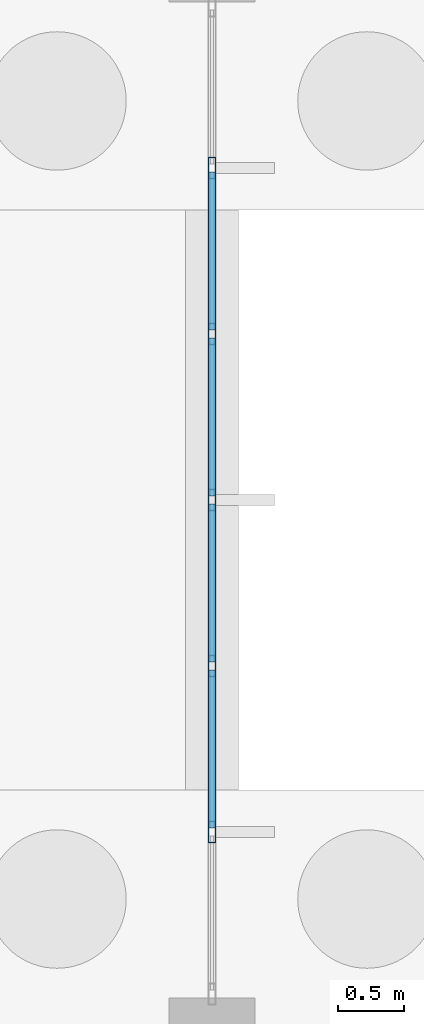
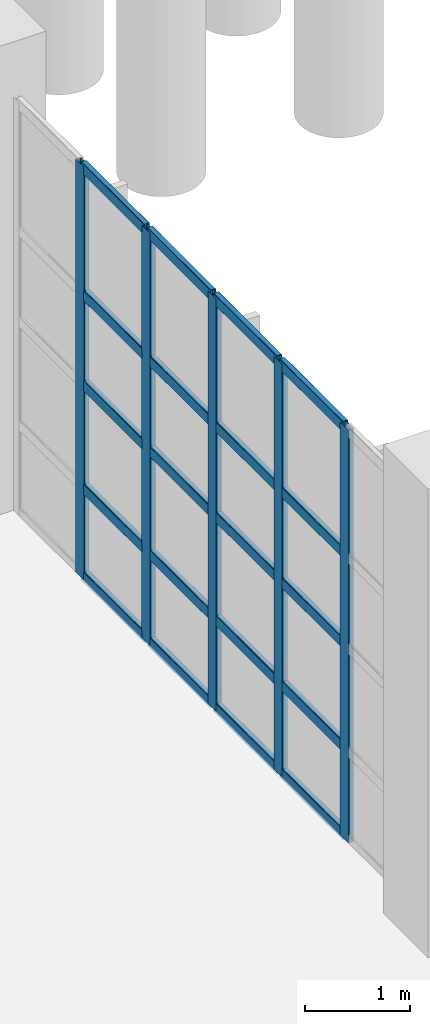
# One storey, part 24 of 83: 25 members, 1 element without a shape of its own.
"""IFC4 building model written with IfcOpenShell, lengths in metres."""

from ifc_helpers import new_model, si_unit, direction, frame, origin, origin_2d, place, context, subcontext, project, spatial, hollow_rectangle, extrude, material, layer, layer_set, material_profile, profile_set, type_object, element, aggregate, save


model = new_model("IFC4")

# Units and contexts
model_context = context("Model", 3, precision=1e-05, world=origin(), true_north=direction((0.0, 1.0)))
body_context = subcontext(model_context, "Body", "Model", "MODEL_VIEW")
ifc_project = project(units=[si_unit("LENGTHUNIT", "METRE"), si_unit("AREAUNIT", "SQUARE_METRE"), si_unit("VOLUMEUNIT", "CUBIC_METRE"), si_unit("PLANEANGLEUNIT", "RADIAN"), si_unit("MASSUNIT", "GRAM", prefix="KILO"), si_unit("THERMODYNAMICTEMPERATUREUNIT", "KELVIN"), si_unit("POWERUNIT", "WATT")], contexts=[model_context])

# Site, building, storey
site_placement = place(None, origin())
site = spatial("IfcSite", under=ifc_project, at=site_placement, CompositionType="ELEMENT")
building_placement = place(site_placement, origin())
building = spatial("IfcBuilding", under=site, at=building_placement, Name="Mavoryth Pier Ferry Terminal", CompositionType="ELEMENT")
storey_placement = place(building_placement, origin())
storey = spatial("IfcBuildingStorey", under=building, at=storey_placement, Name="L00", CompositionType="ELEMENT", Elevation=0.0)

# Curtain wall, members
ifc_material_1 = material(Name="Anodised Aluminium and Solar-Control Low-E Glass", Category="aluminium")
ifc_layer = layer(ifc_material_1, 0.199951171875, Name="Anodised Aluminium and Solar-Control Low-E Glass", Category="aluminium")
ifc_layer_set = layer_set([ifc_layer], Name="Anodised Aluminium and Solar-Control Low-E Glass - CW-Concourse-Mod1200")
curtain_wall_type = type_object("IfcCurtainWallType", Name="CW-Concourse-Mod1200", PredefinedType="USERDEFINED", material=ifc_layer_set)
curtain_wall_placement = place(storey_placement, origin())
curtain_wall = element("IfcCurtainWall", 1, at=curtain_wall_placement, inside=storey, type_object=curtain_wall_type, Name="Curtain Wall CW-0022-010", ObjectType="UNITISED CURTAIN WALL", PredefinedType="USERDEFINED")
ifc_material_2 = material(Name="Anodised Aluminium EN AW-6063", Category="aluminium")
ifc_material_profile_1 = material_profile(ifc_material_2, hollow_rectangle(XDim=0.06005859375, YDim=0.1650390625, WallThickness=0.00390625, InnerFilletRadius=0.00390625, OuterFilletRadius=0.008056640625, at=origin_2d()), Name="AL-MULL 165x60x4", Category="aluminium")
ifc_profile_set_1 = profile_set([ifc_material_profile_1], Name="Anodised Aluminium EN AW-6063 - AL-MULL 165x60x4")
member_type_1 = type_object("IfcMemberType", Name="Mullion-Alum-165x60", PredefinedType="MULLION", material=ifc_profile_set_1)
member_1_placement = place(storey_placement, frame((33.60009765625, 57.283447265625, 0.0), z_axis=(0.0, 0.0, 1.0), x_axis=(-1.0, 0.0, 0.0)))
member_1 = element("IfcMember", 2, at=member_1_placement, type_object=member_type_1, Name="CW02 mullion 2", PredefinedType="MULLION", context=body_context, shape_type="SweptSolid", body=[
    extrude(hollow_rectangle(XDim=0.06005859375, YDim=0.1650390625, WallThickness=0.00390625, InnerFilletRadius=0.00390625, OuterFilletRadius=0.008056640625, at=origin_2d()), origin(), (0.0, 0.0, 1.0), 4.794921875),
])
member_2_placement = place(storey_placement, frame((33.60009765625, 58.541748046875, 0.0), z_axis=(0.0, 0.0, 1.0), x_axis=(-1.0, 0.0, 0.0)))
member_2 = element("IfcMember", 3, at=member_2_placement, type_object=member_type_1, Name="CW02 mullion 3", PredefinedType="MULLION", context=body_context, shape_type="SweptSolid", body=[
    extrude(hollow_rectangle(XDim=0.06005859375, YDim=0.1650390625, WallThickness=0.00390625, InnerFilletRadius=0.00390625, OuterFilletRadius=0.008056640625, at=origin_2d()), origin(), (0.0, 0.0, 1.0), 4.794921875),
])
member_3_placement = place(storey_placement, frame((33.60009765625, 59.800048828125, 0.0), z_axis=(0.0, 0.0, 1.0), x_axis=(-1.0, 0.0, 0.0)))
member_3 = element("IfcMember", 4, at=member_3_placement, type_object=member_type_1, Name="CW02 mullion 4", PredefinedType="MULLION", context=body_context, shape_type="SweptSolid", body=[
    extrude(hollow_rectangle(XDim=0.06005859375, YDim=0.1650390625, WallThickness=0.00390625, InnerFilletRadius=0.00390625, OuterFilletRadius=0.008056640625, at=origin_2d()), origin(), (0.0, 0.0, 1.0), 4.794921875),
])
member_4_placement = place(storey_placement, frame((33.60009765625, 61.058349609375, 0.0), z_axis=(0.0, 0.0, 1.0), x_axis=(-1.0, 0.0, 0.0)))
member_4 = element("IfcMember", 5, at=member_4_placement, type_object=member_type_1, Name="CW02 mullion 5", PredefinedType="MULLION", context=body_context, shape_type="SweptSolid", body=[
    extrude(hollow_rectangle(XDim=0.06005859375, YDim=0.1650390625, WallThickness=0.00390625, InnerFilletRadius=0.00390625, OuterFilletRadius=0.008056640625, at=origin_2d()), origin(), (0.0, 0.0, 1.0), 4.794921875),
])
member_5_placement = place(storey_placement, frame((33.60009765625, 62.316650390625, 0.0), z_axis=(0.0, 0.0, 1.0), x_axis=(-1.0, 0.0, 0.0)))
member_5 = element("IfcMember", 6, at=member_5_placement, type_object=member_type_1, Name="CW02 mullion 6", PredefinedType="MULLION", context=body_context, shape_type="SweptSolid", body=[
    extrude(hollow_rectangle(XDim=0.06005859375, YDim=0.1650390625, WallThickness=0.00390625, InnerFilletRadius=0.00390625, OuterFilletRadius=0.008056640625, at=origin_2d()), origin(), (0.0, 0.0, 1.0), 4.794921875),
])
ifc_material_profile_2 = material_profile(ifc_material_2, hollow_rectangle(XDim=0.06005859375, YDim=0.125, WallThickness=0.00390625, InnerFilletRadius=0.00390625, OuterFilletRadius=0.008056640625, at=origin_2d()), Name="AL-TRAN 125x60x4", Category="aluminium")
ifc_profile_set_2 = profile_set([ifc_material_profile_2], Name="Anodised Aluminium EN AW-6063 - AL-TRAN 125x60x4")
member_type_2 = type_object("IfcMemberType", Name="Transom-Alum-125x60", PredefinedType="USERDEFINED", material=ifc_profile_set_2)
member_6_placement = place(storey_placement, frame((33.60009765625, 57.313232421875, 0.030029296875), z_axis=(0.0, 1.0, 0.0), x_axis=(-1.0, 0.0, 0.0)))
member_6 = element("IfcMember", 7, at=member_6_placement, type_object=member_type_2, Name="CW02 transom 2.1", ObjectType="TRANSOM", PredefinedType="USERDEFINED", context=body_context, shape_type="SweptSolid", body=[
    extrude(hollow_rectangle(XDim=0.06005859375, YDim=0.125, WallThickness=0.00390625, InnerFilletRadius=0.00390625, OuterFilletRadius=0.008056640625, at=origin_2d()), origin(), (0.0, 0.0, 1.0), 1.198486328125),
])
member_7_placement = place(storey_placement, frame((33.60009765625, 57.313232421875, 1.050048828125), z_axis=(0.0, 1.0, 0.0), x_axis=(-1.0, 0.0, 0.0)))
member_7 = element("IfcMember", 8, at=member_7_placement, type_object=member_type_2, Name="CW02 transom 2.2", ObjectType="TRANSOM", PredefinedType="USERDEFINED", context=body_context, shape_type="SweptSolid", body=[
    extrude(hollow_rectangle(XDim=0.06005859375, YDim=0.125, WallThickness=0.00390625, InnerFilletRadius=0.00390625, OuterFilletRadius=0.008056640625, at=origin_2d()), origin(), (0.0, 0.0, 1.0), 1.198486328125),
])
member_8_placement = place(storey_placement, frame((33.60009765625, 57.313232421875, 2.25), z_axis=(0.0, 1.0, 0.0), x_axis=(-1.0, 0.0, 0.0)))
member_8 = element("IfcMember", 9, at=member_8_placement, type_object=member_type_2, Name="CW02 transom 2.3", ObjectType="TRANSOM", PredefinedType="USERDEFINED", context=body_context, shape_type="SweptSolid", body=[
    extrude(hollow_rectangle(XDim=0.06005859375, YDim=0.125, WallThickness=0.00390625, InnerFilletRadius=0.00390625, OuterFilletRadius=0.008056640625, at=origin_2d()), origin(), (0.0, 0.0, 1.0), 1.198486328125),
])
member_9_placement = place(storey_placement, frame((33.60009765625, 57.313232421875, 3.300048828125), z_axis=(0.0, 1.0, 0.0), x_axis=(-1.0, 0.0, 0.0)))
member_9 = element("IfcMember", 10, at=member_9_placement, type_object=member_type_2, Name="CW02 transom 2.4", ObjectType="TRANSOM", PredefinedType="USERDEFINED", context=body_context, shape_type="SweptSolid", body=[
    extrude(hollow_rectangle(XDim=0.06005859375, YDim=0.125, WallThickness=0.00390625, InnerFilletRadius=0.00390625, OuterFilletRadius=0.008056640625, at=origin_2d()), origin(), (0.0, 0.0, 1.0), 1.198486328125),
])
member_10_placement = place(storey_placement, frame((33.60009765625, 57.313232421875, 4.764892578125), z_axis=(0.0, 1.0, 0.0), x_axis=(-1.0, 0.0, 0.0)))
member_10 = element("IfcMember", 11, at=member_10_placement, type_object=member_type_2, Name="CW02 transom 2.5", ObjectType="TRANSOM", PredefinedType="USERDEFINED", context=body_context, shape_type="SweptSolid", body=[
    extrude(hollow_rectangle(XDim=0.06005859375, YDim=0.125, WallThickness=0.00390625, InnerFilletRadius=0.00390625, OuterFilletRadius=0.008056640625, at=origin_2d()), origin(), (0.0, 0.0, 1.0), 1.198486328125),
])
member_11_placement = place(storey_placement, frame((33.60009765625, 58.57177734375, 0.030029296875), z_axis=(0.0, 1.0, 0.0), x_axis=(-1.0, 0.0, 0.0)))
member_11 = element("IfcMember", 12, at=member_11_placement, type_object=member_type_2, Name="CW02 transom 3.1", ObjectType="TRANSOM", PredefinedType="USERDEFINED", context=body_context, shape_type="SweptSolid", body=[
    extrude(hollow_rectangle(XDim=0.06005859375, YDim=0.125, WallThickness=0.00390625, InnerFilletRadius=0.00390625, OuterFilletRadius=0.008056640625, at=origin_2d()), origin(), (0.0, 0.0, 1.0), 1.1982421875),
])
member_12_placement = place(storey_placement, frame((33.60009765625, 58.57177734375, 1.050048828125), z_axis=(0.0, 1.0, 0.0), x_axis=(-1.0, 0.0, 0.0)))
member_12 = element("IfcMember", 13, at=member_12_placement, type_object=member_type_2, Name="CW02 transom 3.2", ObjectType="TRANSOM", PredefinedType="USERDEFINED", context=body_context, shape_type="SweptSolid", body=[
    extrude(hollow_rectangle(XDim=0.06005859375, YDim=0.125, WallThickness=0.00390625, InnerFilletRadius=0.00390625, OuterFilletRadius=0.008056640625, at=origin_2d()), origin(), (0.0, 0.0, 1.0), 1.1982421875),
])
member_13_placement = place(storey_placement, frame((33.60009765625, 58.57177734375, 2.25), z_axis=(0.0, 1.0, 0.0), x_axis=(-1.0, 0.0, 0.0)))
member_13 = element("IfcMember", 14, at=member_13_placement, type_object=member_type_2, Name="CW02 transom 3.3", ObjectType="TRANSOM", PredefinedType="USERDEFINED", context=body_context, shape_type="SweptSolid", body=[
    extrude(hollow_rectangle(XDim=0.06005859375, YDim=0.125, WallThickness=0.00390625, InnerFilletRadius=0.00390625, OuterFilletRadius=0.008056640625, at=origin_2d()), origin(), (0.0, 0.0, 1.0), 1.1982421875),
])
member_14_placement = place(storey_placement, frame((33.60009765625, 58.57177734375, 3.300048828125), z_axis=(0.0, 1.0, 0.0), x_axis=(-1.0, 0.0, 0.0)))
member_14 = element("IfcMember", 15, at=member_14_placement, type_object=member_type_2, Name="CW02 transom 3.4", ObjectType="TRANSOM", PredefinedType="USERDEFINED", context=body_context, shape_type="SweptSolid", body=[
    extrude(hollow_rectangle(XDim=0.06005859375, YDim=0.125, WallThickness=0.00390625, InnerFilletRadius=0.00390625, OuterFilletRadius=0.008056640625, at=origin_2d()), origin(), (0.0, 0.0, 1.0), 1.1982421875),
])
member_15_placement = place(storey_placement, frame((33.60009765625, 58.57177734375, 4.764892578125), z_axis=(0.0, 1.0, 0.0), x_axis=(-1.0, 0.0, 0.0)))
member_15 = element("IfcMember", 16, at=member_15_placement, type_object=member_type_2, Name="CW02 transom 3.5", ObjectType="TRANSOM", PredefinedType="USERDEFINED", context=body_context, shape_type="SweptSolid", body=[
    extrude(hollow_rectangle(XDim=0.06005859375, YDim=0.125, WallThickness=0.00390625, InnerFilletRadius=0.00390625, OuterFilletRadius=0.008056640625, at=origin_2d()), origin(), (0.0, 0.0, 1.0), 1.1982421875),
])
member_16_placement = place(storey_placement, frame((33.60009765625, 59.830078125, 0.030029296875), z_axis=(0.0, 1.0, 0.0), x_axis=(-1.0, 0.0, 0.0)))
member_16 = element("IfcMember", 17, at=member_16_placement, type_object=member_type_2, Name="CW02 transom 4.1", ObjectType="TRANSOM", PredefinedType="USERDEFINED", context=body_context, shape_type="SweptSolid", body=[
    extrude(hollow_rectangle(XDim=0.06005859375, YDim=0.125, WallThickness=0.00390625, InnerFilletRadius=0.00390625, OuterFilletRadius=0.008056640625, at=origin_2d()), origin(), (0.0, 0.0, 1.0), 1.1982421875),
])
member_17_placement = place(storey_placement, frame((33.60009765625, 59.830078125, 1.050048828125), z_axis=(0.0, 1.0, 0.0), x_axis=(-1.0, 0.0, 0.0)))
member_17 = element("IfcMember", 18, at=member_17_placement, type_object=member_type_2, Name="CW02 transom 4.2", ObjectType="TRANSOM", PredefinedType="USERDEFINED", context=body_context, shape_type="SweptSolid", body=[
    extrude(hollow_rectangle(XDim=0.06005859375, YDim=0.125, WallThickness=0.00390625, InnerFilletRadius=0.00390625, OuterFilletRadius=0.008056640625, at=origin_2d()), origin(), (0.0, 0.0, 1.0), 1.1982421875),
])
member_18_placement = place(storey_placement, frame((33.60009765625, 59.830078125, 2.25), z_axis=(0.0, 1.0, 0.0), x_axis=(-1.0, 0.0, 0.0)))
member_18 = element("IfcMember", 19, at=member_18_placement, type_object=member_type_2, Name="CW02 transom 4.3", ObjectType="TRANSOM", PredefinedType="USERDEFINED", context=body_context, shape_type="SweptSolid", body=[
    extrude(hollow_rectangle(XDim=0.06005859375, YDim=0.125, WallThickness=0.00390625, InnerFilletRadius=0.00390625, OuterFilletRadius=0.008056640625, at=origin_2d()), origin(), (0.0, 0.0, 1.0), 1.1982421875),
])
member_19_placement = place(storey_placement, frame((33.60009765625, 59.830078125, 3.300048828125), z_axis=(0.0, 1.0, 0.0), x_axis=(-1.0, 0.0, 0.0)))
member_19 = element("IfcMember", 20, at=member_19_placement, type_object=member_type_2, Name="CW02 transom 4.4", ObjectType="TRANSOM", PredefinedType="USERDEFINED", context=body_context, shape_type="SweptSolid", body=[
    extrude(hollow_rectangle(XDim=0.06005859375, YDim=0.125, WallThickness=0.00390625, InnerFilletRadius=0.00390625, OuterFilletRadius=0.008056640625, at=origin_2d()), origin(), (0.0, 0.0, 1.0), 1.1982421875),
])
member_20_placement = place(storey_placement, frame((33.60009765625, 59.830078125, 4.764892578125), z_axis=(0.0, 1.0, 0.0), x_axis=(-1.0, 0.0, 0.0)))
member_20 = element("IfcMember", 21, at=member_20_placement, type_object=member_type_2, Name="CW02 transom 4.5", ObjectType="TRANSOM", PredefinedType="USERDEFINED", context=body_context, shape_type="SweptSolid", body=[
    extrude(hollow_rectangle(XDim=0.06005859375, YDim=0.125, WallThickness=0.00390625, InnerFilletRadius=0.00390625, OuterFilletRadius=0.008056640625, at=origin_2d()), origin(), (0.0, 0.0, 1.0), 1.1982421875),
])
member_21_placement = place(storey_placement, frame((33.60009765625, 61.08837890625, 0.030029296875), z_axis=(0.0, 1.0, 0.0), x_axis=(-1.0, 0.0, 0.0)))
member_21 = element("IfcMember", 22, at=member_21_placement, type_object=member_type_2, Name="CW02 transom 5.1", ObjectType="TRANSOM", PredefinedType="USERDEFINED", context=body_context, shape_type="SweptSolid", body=[
    extrude(hollow_rectangle(XDim=0.06005859375, YDim=0.125, WallThickness=0.00390625, InnerFilletRadius=0.00390625, OuterFilletRadius=0.008056640625, at=origin_2d()), origin(), (0.0, 0.0, 1.0), 1.1982421875),
])
member_22_placement = place(storey_placement, frame((33.60009765625, 61.08837890625, 1.050048828125), z_axis=(0.0, 1.0, 0.0), x_axis=(-1.0, 0.0, 0.0)))
member_22 = element("IfcMember", 23, at=member_22_placement, type_object=member_type_2, Name="CW02 transom 5.2", ObjectType="TRANSOM", PredefinedType="USERDEFINED", context=body_context, shape_type="SweptSolid", body=[
    extrude(hollow_rectangle(XDim=0.06005859375, YDim=0.125, WallThickness=0.00390625, InnerFilletRadius=0.00390625, OuterFilletRadius=0.008056640625, at=origin_2d()), origin(), (0.0, 0.0, 1.0), 1.1982421875),
])
member_23_placement = place(storey_placement, frame((33.60009765625, 61.08837890625, 2.25), z_axis=(0.0, 1.0, 0.0), x_axis=(-1.0, 0.0, 0.0)))
member_23 = element("IfcMember", 24, at=member_23_placement, type_object=member_type_2, Name="CW02 transom 5.3", ObjectType="TRANSOM", PredefinedType="USERDEFINED", context=body_context, shape_type="SweptSolid", body=[
    extrude(hollow_rectangle(XDim=0.06005859375, YDim=0.125, WallThickness=0.00390625, InnerFilletRadius=0.00390625, OuterFilletRadius=0.008056640625, at=origin_2d()), origin(), (0.0, 0.0, 1.0), 1.1982421875),
])
member_24_placement = place(storey_placement, frame((33.60009765625, 61.08837890625, 3.300048828125), z_axis=(0.0, 1.0, 0.0), x_axis=(-1.0, 0.0, 0.0)))
member_24 = element("IfcMember", 25, at=member_24_placement, type_object=member_type_2, Name="CW02 transom 5.4", ObjectType="TRANSOM", PredefinedType="USERDEFINED", context=body_context, shape_type="SweptSolid", body=[
    extrude(hollow_rectangle(XDim=0.06005859375, YDim=0.125, WallThickness=0.00390625, InnerFilletRadius=0.00390625, OuterFilletRadius=0.008056640625, at=origin_2d()), origin(), (0.0, 0.0, 1.0), 1.1982421875),
])
member_25_placement = place(storey_placement, frame((33.60009765625, 61.08837890625, 4.764892578125), z_axis=(0.0, 1.0, 0.0), x_axis=(-1.0, 0.0, 0.0)))
member_25 = element("IfcMember", 26, at=member_25_placement, type_object=member_type_2, Name="CW02 transom 5.5", ObjectType="TRANSOM", PredefinedType="USERDEFINED", context=body_context, shape_type="SweptSolid", body=[
    extrude(hollow_rectangle(XDim=0.06005859375, YDim=0.125, WallThickness=0.00390625, InnerFilletRadius=0.00390625, OuterFilletRadius=0.008056640625, at=origin_2d()), origin(), (0.0, 0.0, 1.0), 1.1982421875),
])
aggregate(curtain_wall, [member_1, member_2, member_3, member_4, member_5, member_6, member_7, member_8, member_9, member_10, member_11, member_12, member_13, member_14, member_15, member_16, member_17, member_18, member_19, member_20, member_21, member_22, member_23, member_24, member_25])

save(model, "model.ifc")
